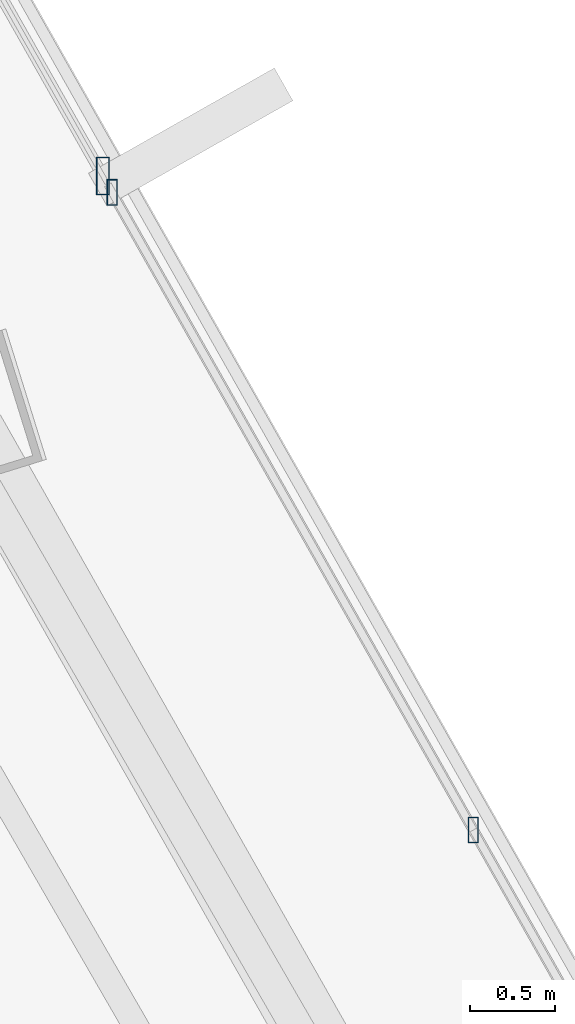
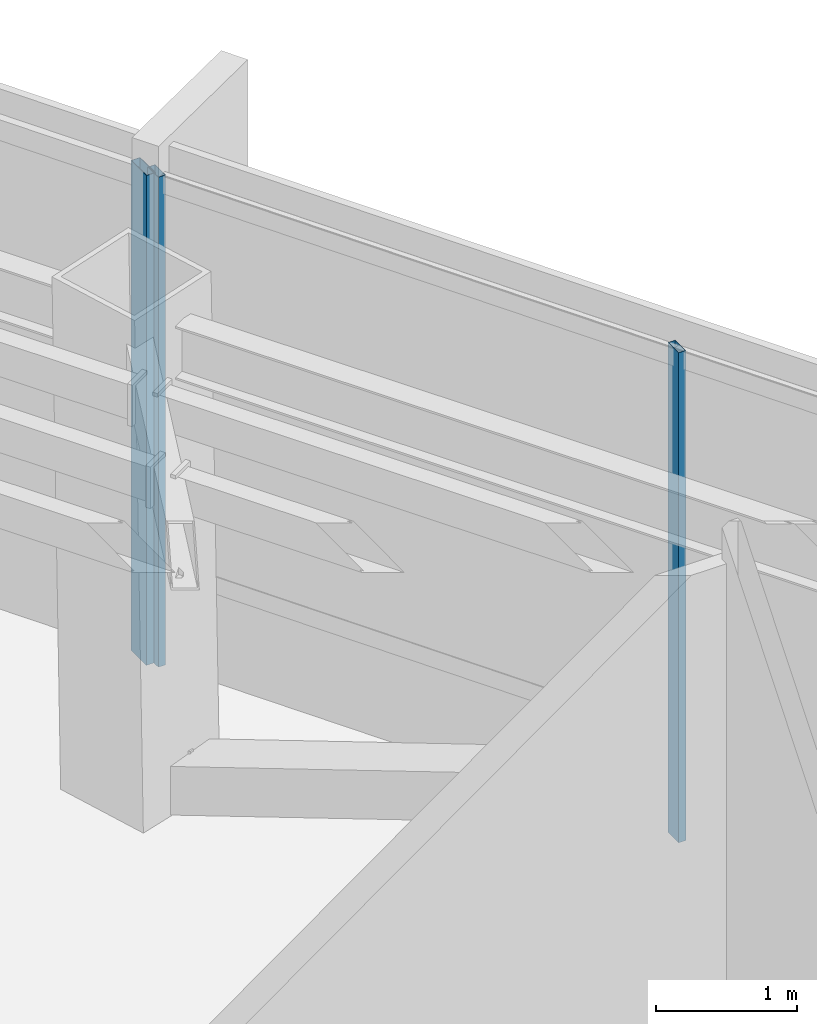
# One storey, part 24 of 37: 3 members, 2 elements without a shape of their own.
"""IFC4 building model written with IfcOpenShell, lengths in metres."""

from ifc_helpers import new_model, si_unit, direction, frame, origin, origin_2d, place, context, subcontext, project, spatial, hollow_rectangle, extrude, source, transform, mapped, material, material_profile, profile_set, type_object, type_shapes, element, aggregate, save


model = new_model("IFC4")

# Units and contexts
model_context = context("Model", 3, precision=1e-05, world=origin(), true_north=direction((0.0, 1.0)))
body_context = subcontext(model_context, "Body", "Model", "MODEL_VIEW")
ifc_project = project(units=[si_unit("LENGTHUNIT", "METRE"), si_unit("AREAUNIT", "SQUARE_METRE"), si_unit("VOLUMEUNIT", "CUBIC_METRE"), si_unit("PLANEANGLEUNIT", "RADIAN"), si_unit("MASSUNIT", "GRAM", prefix="KILO")], contexts=[model_context])

# Site, building, storey
site_placement = place(None, origin())
site = spatial("IfcSite", under=ifc_project, at=site_placement, CompositionType="ELEMENT")
building_placement = place(site_placement, origin())
building = spatial("IfcBuilding", under=site, at=building_placement, Name="Caelisora Broadcast Tower", CompositionType="ELEMENT")
storey_placement = place(building_placement, frame((0.0, 0.0, 225.35009765625)))
storey = spatial("IfcBuildingStorey", under=building, at=storey_placement, Name="L59", CompositionType="ELEMENT", Elevation=225.35009765625)

# Curtain wall, member
ifc_material_1 = material(Name="Unitised Aluminium and Low-E Glass Curtain Wall", Category="glass")
curtain_wall_type_1 = type_object("IfcCurtainWallType", Name="CW-SKY", PredefinedType="NOTDEFINED", material=ifc_material_1)
curtain_wall_1_placement = place(storey_placement, origin())
curtain_wall_1 = element("IfcCurtainWall", 1, at=curtain_wall_1_placement, inside=storey, type_object=curtain_wall_type_1, Name="L59 curtain wall CW-SKY", PredefinedType="NOTDEFINED")
ifc_material_2 = material(Name="Aluminium 6063-T6 Anodised Terracotta Bronze", Category="aluminium")
ifc_material_profile_1 = material_profile(ifc_material_2, hollow_rectangle(XDim=0.074951171875, YDim=0.219970703125, WallThickness=0.00390625, at=origin_2d()), Name="Aluminium 6063-T6 Anodised Terracotta Bronze")
ifc_profile_set_1 = profile_set([ifc_material_profile_1], Name="Aluminium 6063-T6 Anodised Terracotta Bronze")
member_type_1 = type_object("IfcMemberType", Name="CWM-01", PredefinedType="MULLION", material=ifc_profile_set_1)
shared_shape_1 = source(origin(), body_context, "Body", "SweptSolid", [
    extrude(hollow_rectangle(XDim=0.074951171875, YDim=0.219970703125, WallThickness=0.00390625, at=origin_2d()), origin(), (0.0, 0.0, 1.0), 4.25),
])
type_shapes(member_type_1, [shared_shape_1])
member_1_placement = place(storey_placement, frame((49.18408203125, 38.030517578125, 0.0), z_axis=(0.0, 0.0, 1.0), x_axis=(1.0, 0.0, 0.0)))
member_1 = element("IfcMember", 2, at=member_1_placement, type_object=member_type_1, Name="L59-CW-B01 mullion #3", PredefinedType="MULLION", context=body_context, shape_type="MappedRepresentation", body=[
    mapped(shared_shape_1, transform((0.0, 0.0, 0.0), scale=1.0)),
])
aggregate(curtain_wall_1, [member_1])

# Curtain wall, members
ifc_material_3 = material(Name="Unitised Aluminium Insulated Shadow-Box Spandrel Curtain Wall", Category="aluminium")
curtain_wall_type_2 = type_object("IfcCurtainWallType", Name="CW-SP2", PredefinedType="NOTDEFINED", material=ifc_material_3)
curtain_wall_2_placement = place(storey_placement, origin())
curtain_wall_2 = element("IfcCurtainWall", 3, at=curtain_wall_2_placement, inside=storey, type_object=curtain_wall_type_2, Name="L59 curtain wall CW-SP2", PredefinedType="NOTDEFINED")
ifc_material_profile_2 = material_profile(ifc_material_2, hollow_rectangle(XDim=0.06005859375, YDim=0.14990234375, WallThickness=0.00341796875, at=origin_2d()), Name="Aluminium 6063-T6 Anodised Terracotta Bronze")
ifc_profile_set_2 = profile_set([ifc_material_profile_2], Name="Aluminium 6063-T6 Anodised Terracotta Bronze")
member_type_2 = type_object("IfcMemberType", Name="CWM-03", PredefinedType="MULLION", material=ifc_profile_set_2)
shared_shape_2 = source(origin(), body_context, "Body", "SweptSolid", [
    extrude(hollow_rectangle(XDim=0.06005859375, YDim=0.14990234375, WallThickness=0.00341796875, at=origin_2d()), origin(), (0.0, 0.0, 1.0), 4.25),
])
type_shapes(member_type_2, [shared_shape_2])
member_2_placement = place(storey_placement, frame((49.23828125, 37.934814453125, 0.0), z_axis=(0.0, 0.0, 1.0), x_axis=(1.0, 0.0, 0.0)))
member_2 = element("IfcMember", 4, at=member_2_placement, type_object=member_type_2, Name="L59-CW-B02 mullion #0", PredefinedType="MULLION", context=body_context, shape_type="MappedRepresentation", body=[
    mapped(shared_shape_2, transform((0.0, 0.0, 0.0), scale=1.0)),
])
member_3_placement = place(storey_placement, frame((51.352783203125, 34.201904296875, 0.0), z_axis=(0.0, 0.0, 1.0), x_axis=(1.0, 0.0, 0.0)))
member_3 = element("IfcMember", 5, at=member_3_placement, type_object=member_type_2, Name="L59-CW-B02 mullion #1", PredefinedType="MULLION", context=body_context, shape_type="MappedRepresentation", body=[
    mapped(shared_shape_2, transform((0.0, 0.0, 0.0), scale=1.0)),
])
aggregate(curtain_wall_2, [member_2, member_3])

save(model, "model.ifc")
